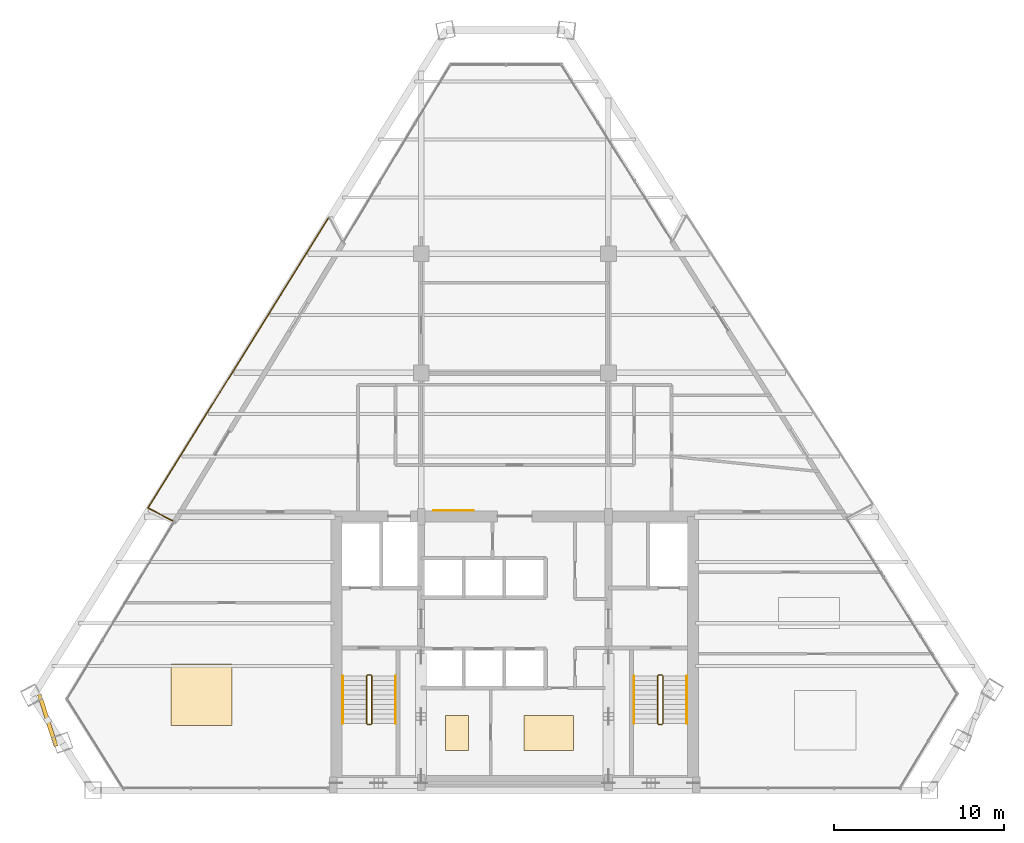
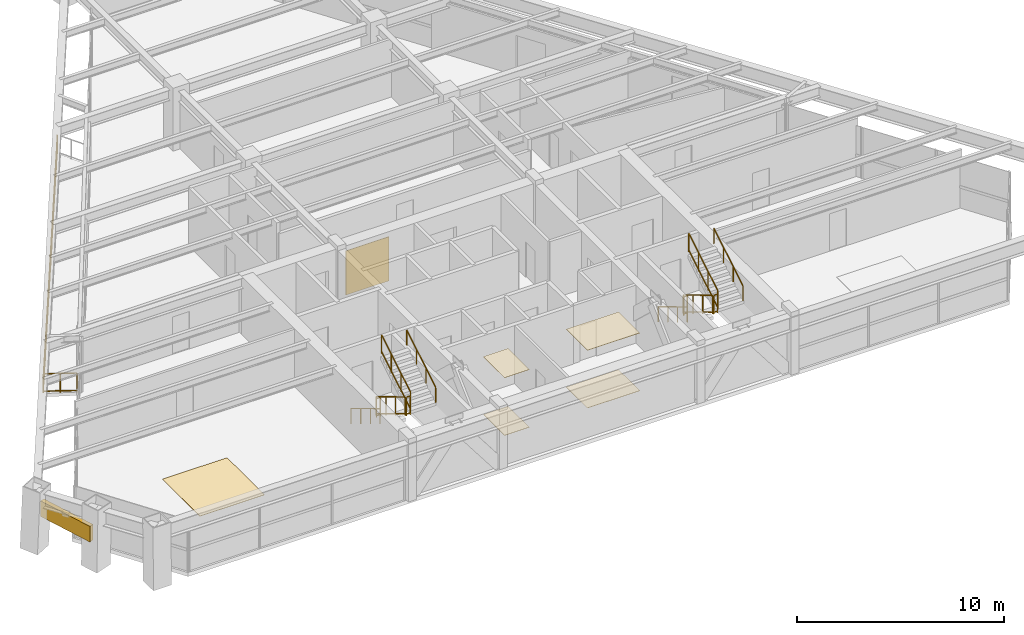
# One storey, part 11 of 12: 14 railings, 6 coverings, 1 shading device.
"""IFC4 building model written with IfcOpenShell, lengths in metres."""

from ifc_helpers import new_model, si_unit, direction, frame, origin, origin_2d, place, context, subcontext, project, spatial, rectangle, extrude, source, transform, mapped, material, layer, layer_set, type_object, type_shapes, element, save


model = new_model("IFC4")

# Units and contexts
model_context = context("Model", 3, precision=1e-05, world=origin(), true_north=direction((0.0, 1.0)))
body_context = subcontext(model_context, "Body", "Model", "MODEL_VIEW")
ifc_project = project(units=[si_unit("LENGTHUNIT", "METRE"), si_unit("AREAUNIT", "SQUARE_METRE"), si_unit("VOLUMEUNIT", "CUBIC_METRE"), si_unit("PLANEANGLEUNIT", "RADIAN"), si_unit("MASSUNIT", "GRAM", prefix="KILO")], contexts=[model_context])

# Site, building, storey
site_placement = place(None, origin())
site = spatial("IfcSite", under=ifc_project, at=site_placement, CompositionType="ELEMENT")
building_placement = place(site_placement, origin())
building = spatial("IfcBuilding", under=site, at=building_placement, Name="Varnakhor Terracotta Tower", CompositionType="ELEMENT")
storey_placement = place(building_placement, frame((0.0, 0.0, 211.699951171875)))
storey = spatial("IfcBuildingStorey", under=building, at=storey_placement, Name="L54", CompositionType="ELEMENT", Elevation=211.699951171875)

# Railings
ifc_material_1 = material(Name="Stainless Steel & Laminated Glass Guardrail", Category="steel")
railing_type_1 = type_object("IfcRailingType", Name="RLG-LOGGIA-GUARD-1150", PredefinedType="GUARDRAIL", material=ifc_material_1)
railing_1_placement = place(storey_placement, frame((-20.09619140625, 15.81689453125, 0.0)))
element("IfcRailing", 1, at=railing_1_placement, inside=storey, type_object=railing_type_1, Name="L54 W Loggia Glass Guard 1", PredefinedType="GUARDRAIL", context=body_context, shape_type="SweptSolid", body=[
    extrude(rectangle(XDim=0.048095703125, YDim=0.048095703125, at=origin_2d()), frame((0.0, 0.0, 1.1259765625), z_axis=(-0.885678752936, 0.464298553301, 0.0), x_axis=(-0.464298553301, -0.885678752936, 0.0)), (0.0, 0.0, 1.0), 1.626953125),
    extrude(rectangle(XDim=0.048095703125, YDim=0.048095703125, at=origin_2d()), frame((0.0, 0.0, 0.10009765625), z_axis=(-0.885678752936, 0.464298553301, 0.0), x_axis=(-0.464298553301, -0.885678752936, 0.0)), (0.0, 0.0, 1.0), 1.626953125),
    extrude(rectangle(XDim=0.0419921875, YDim=0.0419921875, at=origin_2d()), origin(), (0.0, 0.0, 1.0), 1.101806640625),
    extrude(rectangle(XDim=0.0419921875, YDim=0.0419921875, at=origin_2d()), frame((-0.720458984375, 0.377685546875, 0.0)), (0.0, 0.0, 1.0), 1.101806640625),
    extrude(rectangle(XDim=0.0419921875, YDim=0.0419921875, at=origin_2d()), frame((-1.44091796875, 0.75537109375, 0.0)), (0.0, 0.0, 1.0), 1.101806640625),
])
railing_2_placement = place(storey_placement, frame((-21.537109375, 16.572265625, 0.0)))
element("IfcRailing", 2, at=railing_2_placement, inside=storey, type_object=railing_type_1, Name="L54 W Loggia Glass Guard 2", PredefinedType="GUARDRAIL", context=body_context, shape_type="SweptSolid", body=[
    extrude(rectangle(XDim=0.048095703125, YDim=0.048095703125, at=origin_2d()), frame((0.0, 0.0, 1.1259765625), z_axis=(0.528540128786, 0.848908317937, 0.0), x_axis=(-0.848908317937, 0.528540128786, 0.0)), (0.0, 0.0, 1.0), 20.108642578125),
    extrude(rectangle(XDim=0.048095703125, YDim=0.048095703125, at=origin_2d()), frame((0.0, 0.0, 0.10009765625), z_axis=(0.528540128786, 0.848908317937, 0.0), x_axis=(-0.848908317937, 0.528540128786, 0.0)), (0.0, 0.0, 1.0), 20.108642578125),
    extrude(rectangle(XDim=0.0419921875, YDim=0.0419921875, at=origin_2d()), origin(), (0.0, 0.0, 1.0), 1.101806640625),
    extrude(rectangle(XDim=0.0419921875, YDim=0.0419921875, at=origin_2d()), frame((0.70849609375, 1.137939453125, 0.0)), (0.0, 0.0, 1.0), 1.101806640625),
    extrude(rectangle(XDim=0.0419921875, YDim=0.0419921875, at=origin_2d()), frame((1.4169921875, 2.276123046875, 0.0)), (0.0, 0.0, 1.0), 1.101806640625),
    extrude(rectangle(XDim=0.0419921875, YDim=0.0419921875, at=origin_2d()), frame((2.125732421875, 3.4140625, 0.0)), (0.0, 0.0, 1.0), 1.101806640625),
    extrude(rectangle(XDim=0.0419921875, YDim=0.0419921875, at=origin_2d()), frame((2.834228515625, 4.552001953125, 0.0)), (0.0, 0.0, 1.0), 1.101806640625),
    extrude(rectangle(XDim=0.0419921875, YDim=0.0419921875, at=origin_2d()), frame((3.542724609375, 5.690185546875, 0.0)), (0.0, 0.0, 1.0), 1.101806640625),
    extrude(rectangle(XDim=0.0419921875, YDim=0.0419921875, at=origin_2d()), frame((4.251220703125, 6.828125, 0.0)), (0.0, 0.0, 1.0), 1.101806640625),
    extrude(rectangle(XDim=0.0419921875, YDim=0.0419921875, at=origin_2d()), frame((4.959716796875, 7.966064453125, 0.0)), (0.0, 0.0, 1.0), 1.101806640625),
    extrude(rectangle(XDim=0.0419921875, YDim=0.0419921875, at=origin_2d()), frame((5.66845703125, 9.104248046875, 0.0)), (0.0, 0.0, 1.0), 1.101806640625),
    extrude(rectangle(XDim=0.0419921875, YDim=0.0419921875, at=origin_2d()), frame((6.376953125, 10.2421875, 0.0)), (0.0, 0.0, 1.0), 1.101806640625),
    extrude(rectangle(XDim=0.0419921875, YDim=0.0419921875, at=origin_2d()), frame((7.08544921875, 11.380126953125, 0.0)), (0.0, 0.0, 1.0), 1.101806640625),
    extrude(rectangle(XDim=0.0419921875, YDim=0.0419921875, at=origin_2d()), frame((7.7939453125, 12.518310546875, 0.0)), (0.0, 0.0, 1.0), 1.101806640625),
    extrude(rectangle(XDim=0.0419921875, YDim=0.0419921875, at=origin_2d()), frame((8.50244140625, 13.65625, 0.0)), (0.0, 0.0, 1.0), 1.101806640625),
    extrude(rectangle(XDim=0.0419921875, YDim=0.0419921875, at=origin_2d()), frame((9.211181640625, 14.794189453125, 0.0)), (0.0, 0.0, 1.0), 1.101806640625),
    extrude(rectangle(XDim=0.0419921875, YDim=0.0419921875, at=origin_2d()), frame((9.919677734375, 15.932373046875, 0.0)), (0.0, 0.0, 1.0), 1.101806640625),
    extrude(rectangle(XDim=0.0419921875, YDim=0.0419921875, at=origin_2d()), frame((10.628173828125, 17.0703125, 0.0)), (0.0, 0.0, 1.0), 1.101806640625),
])
ifc_material_2 = material(Name="Painted Steel Stairwell Guardrail", Category="steel")
railing_type_2 = type_object("IfcRailingType", Name="RLG-STAIR-GUARD-1120", PredefinedType="GUARDRAIL", material=ifc_material_2)
railing_3_placement = place(storey_placement, frame((-8.699951171875, 6.7099609375, 0.168212890625)))
element("IfcRailing", 3, at=railing_3_placement, inside=storey, type_object=railing_type_2, Name="L54 ST-1 stair guard 1", PredefinedType="GUARDRAIL", context=body_context, shape_type="SweptSolid", body=[
    extrude(rectangle(XDim=0.048095703125, YDim=0.048095703125, at=origin_2d()), frame((0.0, 0.0, 1.09619140625), z_axis=(0.0, -0.857242210791, 0.514913383045), x_axis=(1.0, 0.0, 0.0)), (0.0, 0.0, 1.0), 3.266357421875),
    extrude(rectangle(XDim=0.048095703125, YDim=0.048095703125, at=origin_2d()), frame((0.0, 0.0, 0.10009765625), z_axis=(0.0, -0.857242210791, 0.514913383045), x_axis=(1.0, 0.0, 0.0)), (0.0, 0.0, 1.0), 3.266357421875),
    extrude(rectangle(XDim=0.0419921875, YDim=0.0419921875, at=origin_2d()), origin(), (0.0, 0.0, 1.0), 1.072021484375),
    extrude(rectangle(XDim=0.0419921875, YDim=0.0419921875, at=origin_2d()), frame((0.0, -0.933349609375, 0.560546875)), (0.0, 0.0, 1.0), 1.072021484375),
    extrude(rectangle(XDim=0.0419921875, YDim=0.0419921875, at=origin_2d()), frame((0.0, -1.86669921875, 1.121337890625)), (0.0, 0.0, 1.0), 1.072021484375),
    extrude(rectangle(XDim=0.0419921875, YDim=0.0419921875, at=origin_2d()), frame((0.0, -2.800048828125, 1.681884765625)), (0.0, 0.0, 1.0), 1.072021484375),
])
railing_4_placement = place(storey_placement, frame((-8.64990234375, 3.860107421875, 1.85009765625)))
element("IfcRailing", 4, at=railing_4_placement, inside=storey, type_object=railing_type_2, Name="L54 ST-1 stair guard 2", PredefinedType="GUARDRAIL", context=body_context, shape_type="SweptSolid", body=[
    extrude(rectangle(XDim=0.048095703125, YDim=0.048095703125, at=origin_2d()), frame((0.0, 0.0, 1.09619140625), z_axis=(1.0, 0.0, 0.0), x_axis=(0.0, 1.0, 0.0)), (0.0, 0.0, 1.0), 0.199951171875),
    extrude(rectangle(XDim=0.048095703125, YDim=0.048095703125, at=origin_2d()), frame((0.0, 0.0, 0.10009765625), z_axis=(1.0, 0.0, 0.0), x_axis=(0.0, 1.0, 0.0)), (0.0, 0.0, 1.0), 0.199951171875),
    extrude(rectangle(XDim=0.0419921875, YDim=0.0419921875, at=origin_2d()), origin(), (0.0, 0.0, 1.0), 1.072021484375),
    extrude(rectangle(XDim=0.0419921875, YDim=0.0419921875, at=origin_2d()), frame((0.199951171875, 0.0, 0.0)), (0.0, 0.0, 1.0), 1.072021484375),
])
railing_5_placement = place(storey_placement, frame((-8.39990234375, 3.909912109375, 2.018310546875)))
element("IfcRailing", 5, at=railing_5_placement, inside=storey, type_object=railing_type_2, Name="L54 ST-1 stair guard 3", PredefinedType="GUARDRAIL", context=body_context, shape_type="SweptSolid", body=[
    extrude(rectangle(XDim=0.048095703125, YDim=0.048095703125, at=origin_2d()), frame((0.0, 0.0, 1.09619140625), z_axis=(0.0, 0.857275202839, 0.514858452973), x_axis=(-1.0, 0.0, 0.0)), (0.0, 0.0, 1.0), 3.26611328125),
    extrude(rectangle(XDim=0.048095703125, YDim=0.048095703125, at=origin_2d()), frame((0.0, 0.0, 0.10009765625), z_axis=(0.0, 0.857275202839, 0.514858452973), x_axis=(-1.0, 0.0, 0.0)), (0.0, 0.0, 1.0), 3.26611328125),
    extrude(rectangle(XDim=0.0419921875, YDim=0.0419921875, at=origin_2d()), origin(), (0.0, 0.0, 1.0), 1.072021484375),
    extrude(rectangle(XDim=0.0419921875, YDim=0.0419921875, at=origin_2d()), frame((0.0, 0.933349609375, 0.560546875)), (0.0, 0.0, 1.0), 1.072021484375),
    extrude(rectangle(XDim=0.0419921875, YDim=0.0419921875, at=origin_2d()), frame((0.0, 1.86669921875, 1.12109375)), (0.0, 0.0, 1.0), 1.072021484375),
    extrude(rectangle(XDim=0.0419921875, YDim=0.0419921875, at=origin_2d()), frame((0.0, 2.800048828125, 1.681640625)), (0.0, 0.0, 1.0), 1.072021484375),
])
railing_6_placement = place(storey_placement, frame((-8.64990234375, 6.760009765625, 0.0)))
element("IfcRailing", 6, at=railing_6_placement, inside=storey, type_object=railing_type_2, Name="L54 ST-1 stair guard 4", PredefinedType="GUARDRAIL", context=body_context, shape_type="SweptSolid", body=[
    extrude(rectangle(XDim=0.048095703125, YDim=0.048095703125, at=origin_2d()), frame((0.0, 0.0, 1.09619140625), z_axis=(1.0, 0.0, 0.0), x_axis=(0.0, 1.0, 0.0)), (0.0, 0.0, 1.0), 0.199951171875),
    extrude(rectangle(XDim=0.048095703125, YDim=0.048095703125, at=origin_2d()), frame((0.0, 0.0, 0.10009765625), z_axis=(1.0, 0.0, 0.0), x_axis=(0.0, 1.0, 0.0)), (0.0, 0.0, 1.0), 0.199951171875),
    extrude(rectangle(XDim=0.0419921875, YDim=0.0419921875, at=origin_2d()), origin(), (0.0, 0.0, 1.0), 1.072021484375),
    extrude(rectangle(XDim=0.0419921875, YDim=0.0419921875, at=origin_2d()), frame((0.199951171875, 0.0, 0.0)), (0.0, 0.0, 1.0), 1.072021484375),
])
railing_7_placement = place(storey_placement, frame((8.39990234375, 6.7099609375, 0.168212890625)))
element("IfcRailing", 7, at=railing_7_placement, inside=storey, type_object=railing_type_2, Name="L54 ST-2 stair guard 1", PredefinedType="GUARDRAIL", context=body_context, shape_type="SweptSolid", body=[
    extrude(rectangle(XDim=0.048095703125, YDim=0.048095703125, at=origin_2d()), frame((0.0, 0.0, 1.09619140625), z_axis=(0.0, -0.857242210791, 0.514913383045), x_axis=(1.0, 0.0, 0.0)), (0.0, 0.0, 1.0), 3.266357421875),
    extrude(rectangle(XDim=0.048095703125, YDim=0.048095703125, at=origin_2d()), frame((0.0, 0.0, 0.10009765625), z_axis=(0.0, -0.857242210791, 0.514913383045), x_axis=(1.0, 0.0, 0.0)), (0.0, 0.0, 1.0), 3.266357421875),
    extrude(rectangle(XDim=0.0419921875, YDim=0.0419921875, at=origin_2d()), origin(), (0.0, 0.0, 1.0), 1.072021484375),
    extrude(rectangle(XDim=0.0419921875, YDim=0.0419921875, at=origin_2d()), frame((0.0, -0.933349609375, 0.560546875)), (0.0, 0.0, 1.0), 1.072021484375),
    extrude(rectangle(XDim=0.0419921875, YDim=0.0419921875, at=origin_2d()), frame((0.0, -1.86669921875, 1.121337890625)), (0.0, 0.0, 1.0), 1.072021484375),
    extrude(rectangle(XDim=0.0419921875, YDim=0.0419921875, at=origin_2d()), frame((0.0, -2.800048828125, 1.681884765625)), (0.0, 0.0, 1.0), 1.072021484375),
])
railing_8_placement = place(storey_placement, frame((8.449951171875, 3.860107421875, 1.85009765625)))
element("IfcRailing", 8, at=railing_8_placement, inside=storey, type_object=railing_type_2, Name="L54 ST-2 stair guard 2", PredefinedType="GUARDRAIL", context=body_context, shape_type="SweptSolid", body=[
    extrude(rectangle(XDim=0.048095703125, YDim=0.048095703125, at=origin_2d()), frame((0.0, 0.0, 1.09619140625), z_axis=(1.0, 0.0, 0.0), x_axis=(0.0, 1.0, 0.0)), (0.0, 0.0, 1.0), 0.199951171875),
    extrude(rectangle(XDim=0.048095703125, YDim=0.048095703125, at=origin_2d()), frame((0.0, 0.0, 0.10009765625), z_axis=(1.0, 0.0, 0.0), x_axis=(0.0, 1.0, 0.0)), (0.0, 0.0, 1.0), 0.199951171875),
    extrude(rectangle(XDim=0.0419921875, YDim=0.0419921875, at=origin_2d()), origin(), (0.0, 0.0, 1.0), 1.072021484375),
    extrude(rectangle(XDim=0.0419921875, YDim=0.0419921875, at=origin_2d()), frame((0.199951171875, 0.0, 0.0)), (0.0, 0.0, 1.0), 1.072021484375),
])
railing_9_placement = place(storey_placement, frame((8.699951171875, 3.909912109375, 2.018310546875)))
element("IfcRailing", 9, at=railing_9_placement, inside=storey, type_object=railing_type_2, Name="L54 ST-2 stair guard 3", PredefinedType="GUARDRAIL", context=body_context, shape_type="SweptSolid", body=[
    extrude(rectangle(XDim=0.048095703125, YDim=0.048095703125, at=origin_2d()), frame((0.0, 0.0, 1.09619140625), z_axis=(0.0, 0.857275202839, 0.514858452973), x_axis=(-1.0, 0.0, 0.0)), (0.0, 0.0, 1.0), 3.26611328125),
    extrude(rectangle(XDim=0.048095703125, YDim=0.048095703125, at=origin_2d()), frame((0.0, 0.0, 0.10009765625), z_axis=(0.0, 0.857275202839, 0.514858452973), x_axis=(-1.0, 0.0, 0.0)), (0.0, 0.0, 1.0), 3.26611328125),
    extrude(rectangle(XDim=0.0419921875, YDim=0.0419921875, at=origin_2d()), origin(), (0.0, 0.0, 1.0), 1.072021484375),
    extrude(rectangle(XDim=0.0419921875, YDim=0.0419921875, at=origin_2d()), frame((0.0, 0.933349609375, 0.560546875)), (0.0, 0.0, 1.0), 1.072021484375),
    extrude(rectangle(XDim=0.0419921875, YDim=0.0419921875, at=origin_2d()), frame((0.0, 1.86669921875, 1.12109375)), (0.0, 0.0, 1.0), 1.072021484375),
    extrude(rectangle(XDim=0.0419921875, YDim=0.0419921875, at=origin_2d()), frame((0.0, 2.800048828125, 1.681640625)), (0.0, 0.0, 1.0), 1.072021484375),
])
railing_10_placement = place(storey_placement, frame((8.449951171875, 6.760009765625, 0.0)))
element("IfcRailing", 10, at=railing_10_placement, inside=storey, type_object=railing_type_2, Name="L54 ST-2 stair guard 4", PredefinedType="GUARDRAIL", context=body_context, shape_type="SweptSolid", body=[
    extrude(rectangle(XDim=0.048095703125, YDim=0.048095703125, at=origin_2d()), frame((0.0, 0.0, 1.09619140625), z_axis=(1.0, 0.0, 0.0), x_axis=(0.0, 1.0, 0.0)), (0.0, 0.0, 1.0), 0.199951171875),
    extrude(rectangle(XDim=0.048095703125, YDim=0.048095703125, at=origin_2d()), frame((0.0, 0.0, 0.10009765625), z_axis=(1.0, 0.0, 0.0), x_axis=(0.0, 1.0, 0.0)), (0.0, 0.0, 1.0), 0.199951171875),
    extrude(rectangle(XDim=0.0419921875, YDim=0.0419921875, at=origin_2d()), origin(), (0.0, 0.0, 1.0), 1.072021484375),
    extrude(rectangle(XDim=0.0419921875, YDim=0.0419921875, at=origin_2d()), frame((0.199951171875, 0.0, 0.0)), (0.0, 0.0, 1.0), 1.072021484375),
])
ifc_material_3 = material(Name="Brushed Stainless Steel Handrail", Category="steel")
railing_type_3 = type_object("IfcRailingType", Name="RLG-STAIR-HANDRAIL-920", PredefinedType="HANDRAIL", material=ifc_material_3)
railing_11_placement = place(storey_placement, frame((-10.10009765625, 6.7099609375, 0.168212890625)))
element("IfcRailing", 11, at=railing_11_placement, inside=storey, type_object=railing_type_3, Name="L54 ST-1 stair handrail 1", PredefinedType="HANDRAIL", context=body_context, shape_type="SweptSolid", body=[
    extrude(rectangle(XDim=0.048095703125, YDim=0.048095703125, at=origin_2d()), frame((0.0, 0.0, 0.89599609375), z_axis=(0.0, -0.857242210791, 0.514913383045), x_axis=(1.0, 0.0, 0.0)), (0.0, 0.0, 1.0), 3.266357421875),
    extrude(rectangle(XDim=0.0419921875, YDim=0.0419921875, at=origin_2d()), origin(), (0.0, 0.0, 1.0), 0.871826171875),
    extrude(rectangle(XDim=0.0419921875, YDim=0.0419921875, at=origin_2d()), frame((0.0, -0.933349609375, 0.560546875)), (0.0, 0.0, 1.0), 0.871826171875),
    extrude(rectangle(XDim=0.0419921875, YDim=0.0419921875, at=origin_2d()), frame((0.0, -1.86669921875, 1.121337890625)), (0.0, 0.0, 1.0), 0.871826171875),
    extrude(rectangle(XDim=0.0419921875, YDim=0.0419921875, at=origin_2d()), frame((0.0, -2.800048828125, 1.681884765625)), (0.0, 0.0, 1.0), 0.871826171875),
])
railing_12_placement = place(storey_placement, frame((-7.0, 3.909912109375, 2.018310546875)))
element("IfcRailing", 12, at=railing_12_placement, inside=storey, type_object=railing_type_3, Name="L54 ST-1 stair handrail 2", PredefinedType="HANDRAIL", context=body_context, shape_type="SweptSolid", body=[
    extrude(rectangle(XDim=0.048095703125, YDim=0.048095703125, at=origin_2d()), frame((0.0, 0.0, 0.89599609375), z_axis=(0.0, 0.857275202839, 0.514858452973), x_axis=(-1.0, 0.0, 0.0)), (0.0, 0.0, 1.0), 3.26611328125),
    extrude(rectangle(XDim=0.0419921875, YDim=0.0419921875, at=origin_2d()), origin(), (0.0, 0.0, 1.0), 0.871826171875),
    extrude(rectangle(XDim=0.0419921875, YDim=0.0419921875, at=origin_2d()), frame((0.0, 0.933349609375, 0.560546875)), (0.0, 0.0, 1.0), 0.871826171875),
    extrude(rectangle(XDim=0.0419921875, YDim=0.0419921875, at=origin_2d()), frame((0.0, 1.86669921875, 1.12109375)), (0.0, 0.0, 1.0), 0.871826171875),
    extrude(rectangle(XDim=0.0419921875, YDim=0.0419921875, at=origin_2d()), frame((0.0, 2.800048828125, 1.681640625)), (0.0, 0.0, 1.0), 0.871826171875),
])
railing_13_placement = place(storey_placement, frame((7.0, 6.7099609375, 0.168212890625)))
element("IfcRailing", 13, at=railing_13_placement, inside=storey, type_object=railing_type_3, Name="L54 ST-2 stair handrail 1", PredefinedType="HANDRAIL", context=body_context, shape_type="SweptSolid", body=[
    extrude(rectangle(XDim=0.048095703125, YDim=0.048095703125, at=origin_2d()), frame((0.0, 0.0, 0.89599609375), z_axis=(0.0, -0.857242210791, 0.514913383045), x_axis=(1.0, 0.0, 0.0)), (0.0, 0.0, 1.0), 3.266357421875),
    extrude(rectangle(XDim=0.0419921875, YDim=0.0419921875, at=origin_2d()), origin(), (0.0, 0.0, 1.0), 0.871826171875),
    extrude(rectangle(XDim=0.0419921875, YDim=0.0419921875, at=origin_2d()), frame((0.0, -0.933349609375, 0.560546875)), (0.0, 0.0, 1.0), 0.871826171875),
    extrude(rectangle(XDim=0.0419921875, YDim=0.0419921875, at=origin_2d()), frame((0.0, -1.86669921875, 1.121337890625)), (0.0, 0.0, 1.0), 0.871826171875),
    extrude(rectangle(XDim=0.0419921875, YDim=0.0419921875, at=origin_2d()), frame((0.0, -2.800048828125, 1.681884765625)), (0.0, 0.0, 1.0), 0.871826171875),
])
railing_14_placement = place(storey_placement, frame((10.10009765625, 3.909912109375, 2.018310546875)))
element("IfcRailing", 14, at=railing_14_placement, inside=storey, type_object=railing_type_3, Name="L54 ST-2 stair handrail 2", PredefinedType="HANDRAIL", context=body_context, shape_type="SweptSolid", body=[
    extrude(rectangle(XDim=0.048095703125, YDim=0.048095703125, at=origin_2d()), frame((0.0, 0.0, 0.89599609375), z_axis=(0.0, 0.857275202839, 0.514858452973), x_axis=(-1.0, 0.0, 0.0)), (0.0, 0.0, 1.0), 3.26611328125),
    extrude(rectangle(XDim=0.0419921875, YDim=0.0419921875, at=origin_2d()), origin(), (0.0, 0.0, 1.0), 0.871826171875),
    extrude(rectangle(XDim=0.0419921875, YDim=0.0419921875, at=origin_2d()), frame((0.0, 0.933349609375, 0.560546875)), (0.0, 0.0, 1.0), 0.871826171875),
    extrude(rectangle(XDim=0.0419921875, YDim=0.0419921875, at=origin_2d()), frame((0.0, 1.86669921875, 1.12109375)), (0.0, 0.0, 1.0), 0.871826171875),
    extrude(rectangle(XDim=0.0419921875, YDim=0.0419921875, at=origin_2d()), frame((0.0, 2.800048828125, 1.681640625)), (0.0, 0.0, 1.0), 0.871826171875),
])

# Shading device
ifc_material_4 = material(Name="Extruded Architectural Terracotta Screen", Category="masonry")
shading_device_type = type_object("IfcShadingDeviceType", Name="TERRACOTTA SOLAR SCREEN W", PredefinedType="USERDEFINED", material=ifc_material_4)
shared_shape_1 = source(origin(), body_context, "Body", "SweptSolid", [
    extrude(rectangle(XDim=3.199951171875, YDim=0.239990234375, at=origin_2d()), origin(), (0.0, 0.0, 1.0), 0.919921875),
])
type_shapes(shading_device_type, [shared_shape_1])
shading_device_placement = place(storey_placement, frame((-27.4267578125, 4.098388671875, 1.66015625), z_axis=(0.0, 0.0, 1.0), x_axis=(0.305728540362, -0.952118721383, 0.0)))
element("IfcShadingDevice", 15, at=shading_device_placement, inside=storey, type_object=shading_device_type, Name="L54 W Terracotta Solar Screen", ObjectType="SCREEN", PredefinedType="USERDEFINED", context=body_context, shape_type="MappedRepresentation", body=[
    mapped(shared_shape_1, transform((0.0, 0.0, 0.0), scale=1.0)),
])

# Coverings
ifc_material_5 = material(Name="Extruded Architectural Terracotta Cladding", Category="masonry")
ifc_layer_1 = layer(ifc_material_5, 0.044921875, Name="Extruded Architectural Terracotta Cladding")
ifc_layer_set_1 = layer_set([ifc_layer_1], Name="Extruded Architectural Terracotta Cladding")
covering_type_1 = type_object("IfcCoveringType", Name="COV-CLAD-TERRACOTTA", PredefinedType="CLADDING", material=ifc_layer_set_1)
shared_shape_2 = source(origin(), body_context, "Body", "SweptSolid", [
    extrude(rectangle(XDim=2.39990234375, YDim=0.030029296875, at=origin_2d()), origin(), (0.0, 0.0, 1.0), 2.60009765625),
])
type_shapes(covering_type_1, [shared_shape_2])
covering_1_placement = place(storey_placement, frame((-3.60009765625, 16.412109375, 0.0), z_axis=(0.0, 0.0, 1.0), x_axis=(1.0, 0.0, 0.0)))
element("IfcCovering", 16, at=covering_1_placement, inside=storey, type_object=covering_type_1, Name="L54 Core Lobby Limestone Cladding", PredefinedType="CLADDING", context=body_context, shape_type="MappedRepresentation", body=[
    mapped(shared_shape_2, transform((0.0, 0.0, 0.0), scale=1.0)),
])
ifc_material_6 = material(Name="Honed Riyadh Limestone Flooring", Category="masonry")
ifc_layer_2 = layer(ifc_material_6, 0.030029296875, Name="Honed Riyadh Limestone Flooring")
ifc_layer_set_2 = layer_set([ifc_layer_2], Name="Honed Riyadh Limestone Flooring")
covering_type_2 = type_object("IfcCoveringType", Name="COV-FLOOR-LIMESTONE", PredefinedType="FLOORING", material=ifc_layer_set_2)
shared_shape_3 = source(origin(), body_context, "Body", "SweptSolid", [
    extrude(rectangle(XDim=3.60009765625, YDim=3.60009765625, at=origin_2d()), origin(), (0.0, 0.0, 1.0), 0.02001953125),
])
covering_2_placement = place(storey_placement, frame((-18.39892578125, 5.60205078125, 0.0), z_axis=(0.0, 0.0, 1.0), x_axis=(1.0, 0.0, 0.0)))
element("IfcCovering", 17, at=covering_2_placement, inside=storey, type_object=covering_type_2, Name="L54 Honed Stone Flooring 4", PredefinedType="FLOORING", context=body_context, shape_type="MappedRepresentation", body=[
    mapped(shared_shape_3, transform((0.0, 0.0, 0.0), scale=1.0)),
])
shared_shape_4 = source(origin(), body_context, "Body", "SweptSolid", [
    extrude(rectangle(XDim=1.375, YDim=2.041015625, at=origin_2d()), origin(), (0.0, 0.0, 1.0), 0.02001953125),
])
covering_3_placement = place(storey_placement, frame((-3.389892578125, 3.35498046875, 0.0), z_axis=(0.0, 0.0, 1.0), x_axis=(1.0, 0.0, 0.0)))
element("IfcCovering", 18, at=covering_3_placement, inside=storey, type_object=covering_type_2, Name="L54 Honed Stone Flooring 1", PredefinedType="FLOORING", context=body_context, shape_type="MappedRepresentation", body=[
    mapped(shared_shape_4, transform((0.0, 0.0, 0.0), scale=1.0)),
])
ifc_material_7 = material(Name="Perforated Acoustic Mineral-Fibre Ceiling", Category="gypsum")
ifc_layer_3 = layer(ifc_material_7, 0.02490234375, Name="Perforated Acoustic Mineral-Fibre Ceiling")
ifc_layer_set_3 = layer_set([ifc_layer_3], Name="Perforated Acoustic Mineral-Fibre Ceiling")
covering_type_3 = type_object("IfcCoveringType", Name="COV-CEILING-ACOUSTIC", PredefinedType="CEILING", material=ifc_layer_set_3)
shared_shape_5 = source(origin(), body_context, "Body", "SweptSolid", [
    extrude(rectangle(XDim=1.375, YDim=2.041015625, at=origin_2d()), origin(), (0.0, 0.0, 1.0), 0.02392578125),
])
covering_4_placement = place(storey_placement, frame((-3.389892578125, 3.35498046875, 3.39599609375), z_axis=(0.0, 0.0, 1.0), x_axis=(1.0, 0.0, 0.0)))
element("IfcCovering", 19, at=covering_4_placement, inside=storey, type_object=covering_type_3, Name="L54 Acoustic Ceiling Panel 1", PredefinedType="CEILING", context=body_context, shape_type="MappedRepresentation", body=[
    mapped(shared_shape_5, transform((0.0, 0.0, 0.0), scale=1.0)),
])
shared_shape_6 = source(origin(), body_context, "Body", "SweptSolid", [
    extrude(rectangle(XDim=2.9150390625, YDim=2.041015625, at=origin_2d()), origin(), (0.0, 0.0, 1.0), 0.02001953125),
])
covering_5_placement = place(storey_placement, frame((1.989990234375, 3.35498046875, 0.0), z_axis=(0.0, 0.0, 1.0), x_axis=(1.0, 0.0, 0.0)))
element("IfcCovering", 20, at=covering_5_placement, inside=storey, type_object=covering_type_2, Name="L54 Honed Stone Flooring 2", PredefinedType="FLOORING", context=body_context, shape_type="MappedRepresentation", body=[
    mapped(shared_shape_6, transform((0.0, 0.0, 0.0), scale=1.0)),
])
shared_shape_7 = source(origin(), body_context, "Body", "SweptSolid", [
    extrude(rectangle(XDim=2.9150390625, YDim=2.041015625, at=origin_2d()), origin(), (0.0, 0.0, 1.0), 0.02392578125),
])
covering_6_placement = place(storey_placement, frame((1.989990234375, 3.35498046875, 3.39599609375), z_axis=(0.0, 0.0, 1.0), x_axis=(1.0, 0.0, 0.0)))
element("IfcCovering", 21, at=covering_6_placement, inside=storey, type_object=covering_type_3, Name="L54 Acoustic Ceiling Panel 2", PredefinedType="CEILING", context=body_context, shape_type="MappedRepresentation", body=[
    mapped(shared_shape_7, transform((0.0, 0.0, 0.0), scale=1.0)),
])

save(model, "model.ifc")
